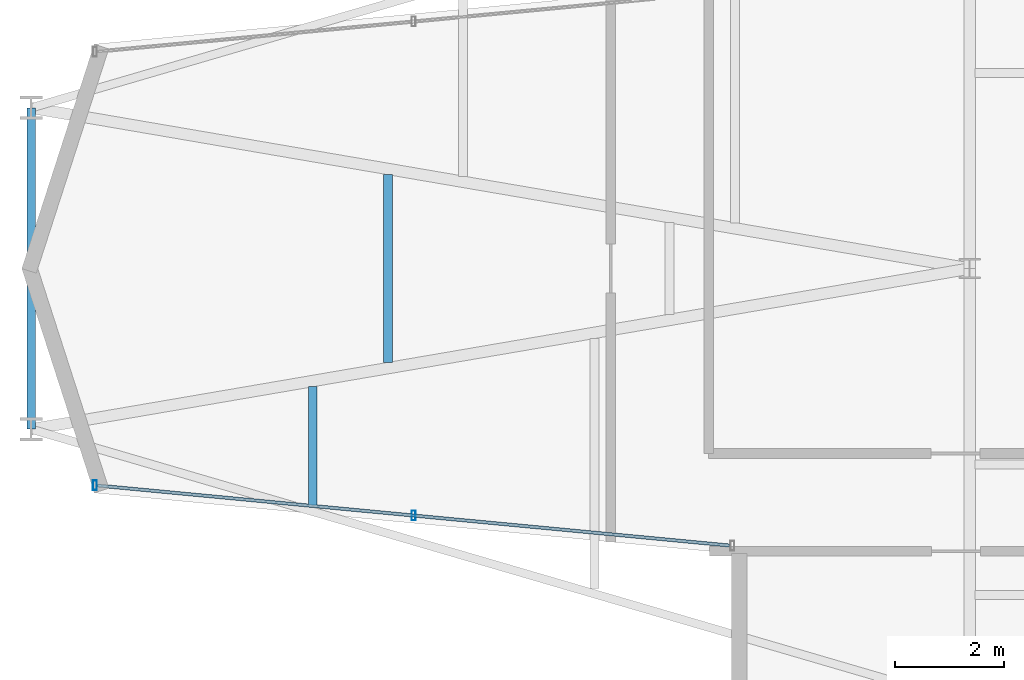
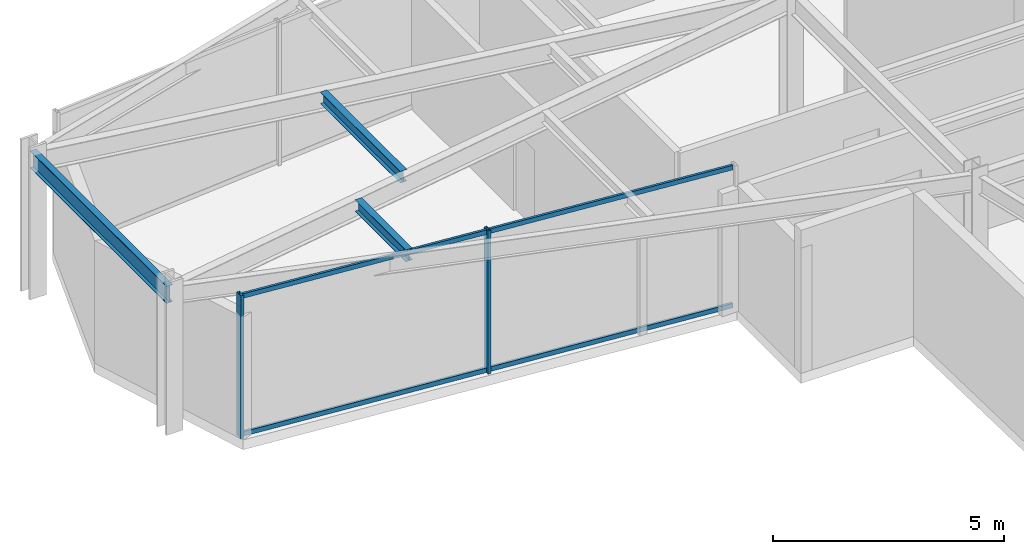
# One storey, part 2 of 21: 4 members, 3 beams, 1 element without a shape of its own.
"""IFC4 building model written with IfcOpenShell, lengths in metres."""

from ifc_helpers import new_model, si_unit, direction, frame, origin, origin_2d, place, context, subcontext, project, spatial, hollow_rectangle, i_section, extrude, material, layer, layer_set, material_profile, profile_set, type_object, element, aggregate, save


model = new_model("IFC4")

# Units and contexts
model_context = context("Model", 3, precision=1e-05, world=origin(), true_north=direction((0.0, 1.0)))
body_context = subcontext(model_context, "Body", "Model", "MODEL_VIEW")
ifc_project = project(units=[si_unit("LENGTHUNIT", "METRE"), si_unit("AREAUNIT", "SQUARE_METRE"), si_unit("VOLUMEUNIT", "CUBIC_METRE"), si_unit("PLANEANGLEUNIT", "RADIAN"), si_unit("MASSUNIT", "GRAM", prefix="KILO")], contexts=[model_context])

# Site, building, storey
site_placement = place(None, origin())
site = spatial("IfcSite", under=ifc_project, at=site_placement, CompositionType="ELEMENT")
building_placement = place(site_placement, origin())
building = spatial("IfcBuilding", under=site, at=building_placement, Name="Veymaron Broadcast Tower", CompositionType="ELEMENT")
storey_placement = place(building_placement, frame((0.0, 0.0, 228.300048828125)))
storey = spatial("IfcBuildingStorey", under=building, at=storey_placement, Name="L53", CompositionType="ELEMENT", Elevation=228.300048828125)

# Beams
ifc_material_1 = material(Name="Structural steel ASTM A992 Gr 50", Category="steel")
ifc_material_profile_1 = material_profile(ifc_material_1, i_section(OverallWidth=0.1650390625, OverallDepth=0.31005859375, WebThickness=0.005859375, FlangeThickness=0.009765625, at=origin_2d()), Name="W310X39")
ifc_profile_set_1 = profile_set([ifc_material_profile_1], Name="Structural steel ASTM A992 Gr 50")
beam_type_1 = type_object("IfcBeamType", Name="BM-JS3", PredefinedType="JOIST", material=ifc_profile_set_1)
beam_1_placement = place(storey_placement, frame((19.11865234375, 19.631591796875, 3.635009765625), z_axis=(0.0, 1.0, 0.0), x_axis=(-1.0, 0.0, 0.0)))
element("IfcBeam", 1, at=beam_1_placement, inside=storey, type_object=beam_type_1, Name="L53 Arm-A secondary joist 1S", PredefinedType="JOIST", context=body_context, shape_type="SweptSolid", body=[
    extrude(i_section(OverallWidth=0.1650390625, OverallDepth=0.31005859375, WebThickness=0.005859375, FlangeThickness=0.009765625, at=origin_2d()), origin(), (0.0, 0.0, 1.0), 2.199951171875),
])
beam_2_placement = place(storey_placement, frame((20.49951171875, 22.267822265625, 3.635009765625), z_axis=(0.0, 1.0, 0.0), x_axis=(-1.0, 0.0, 0.0)))
element("IfcBeam", 2, at=beam_2_placement, inside=storey, type_object=beam_type_1, Name="L53 Arm-A secondary joist 1M", PredefinedType="JOIST", context=body_context, shape_type="SweptSolid", body=[
    extrude(i_section(OverallWidth=0.1650390625, OverallDepth=0.31005859375, WebThickness=0.005859375, FlangeThickness=0.009765625, at=origin_2d()), origin(), (0.0, 0.0, 1.0), 3.46435546875),
])
ifc_material_profile_2 = material_profile(ifc_material_1, i_section(OverallWidth=0.154052734375, OverallDepth=0.458984375, WebThickness=0.009033203125, FlangeThickness=0.015380859375, at=origin_2d()), Name="W460X68")
ifc_profile_set_2 = profile_set([ifc_material_profile_2], Name="Structural steel ASTM A992 Gr 50")
beam_type_2 = type_object("IfcBeamType", Name="BM-SP2", PredefinedType="SPANDREL", material=ifc_profile_set_2)
beam_3_placement = place(storey_placement, frame((13.94091796875, 21.044921875, 3.560546875), z_axis=(0.0, 1.0, 0.0), x_axis=(-1.0, 0.0, 0.0)))
element("IfcBeam", 3, at=beam_3_placement, inside=storey, type_object=beam_type_2, Name="L53 primary structural floor girder", PredefinedType="SPANDREL", context=body_context, shape_type="SweptSolid", body=[
    extrude(i_section(OverallWidth=0.154052734375, OverallDepth=0.458984375, WebThickness=0.009033203125, FlangeThickness=0.015380859375, at=origin_2d()), origin(), (0.0, 0.0, 1.0), 5.91015625),
])

# Curtain wall, members
ifc_material_2 = material(Name="Anodised aluminium AA 6063-T6 and laminated low-E dark glass", Category="aluminium")
ifc_layer = layer(ifc_material_2, 0.179931640625)
ifc_layer_set = layer_set([ifc_layer], Name="Anodised aluminium AA 6063-T6 and laminated low-E dark glass")
curtain_wall_type = type_object("IfcCurtainWallType", Name="CW-SYS-05", PredefinedType="NOTDEFINED", material=ifc_layer_set)
curtain_wall_placement = place(storey_placement, origin())
curtain_wall = element("IfcCurtainWall", 4, at=curtain_wall_placement, inside=storey, type_object=curtain_wall_type, Name="L53 dark-glass curtain wall CW-L53-E14-1", PredefinedType="NOTDEFINED")
ifc_material_3 = material(Name="Anodised aluminium AA 6063-T6", Category="aluminium")
ifc_material_profile_3 = material_profile(ifc_material_3, hollow_rectangle(XDim=0.074951171875, YDim=0.179931640625, WallThickness=0.0048828125, at=origin_2d()), Name="AL180X75X5")
ifc_profile_set_3 = profile_set([ifc_material_profile_3], Name="Anodised aluminium AA 6063-T6")
member_type_1 = type_object("IfcMemberType", Name="CW-MUL-02", PredefinedType="MULLION", material=ifc_profile_set_3)
member_1_placement = place(storey_placement, frame((15.11328125, 20.013916015625, 0.0), z_axis=(0.0, 0.0, 1.0), x_axis=(1.0, 0.0, 0.0)))
member_1 = element("IfcMember", 5, at=member_1_placement, type_object=member_type_1, Name="CW-L53-E14-1 mullion 0", PredefinedType="MULLION", context=body_context, shape_type="SweptSolid", body=[
    extrude(hollow_rectangle(XDim=0.074951171875, YDim=0.179931640625, WallThickness=0.0048828125, at=origin_2d()), origin(), (0.0, 0.0, 1.0), 3.7900390625),
])
member_2_placement = place(storey_placement, frame((20.97509765625, 19.45751953125, 0.0), z_axis=(0.0, 0.0, 1.0), x_axis=(1.0, 0.0, 0.0)))
member_2 = element("IfcMember", 6, at=member_2_placement, type_object=member_type_1, Name="CW-L53-E14-1 mullion 1", PredefinedType="MULLION", context=body_context, shape_type="SweptSolid", body=[
    extrude(hollow_rectangle(XDim=0.074951171875, YDim=0.179931640625, WallThickness=0.0048828125, at=origin_2d()), origin(), (0.0, 0.0, 1.0), 3.7900390625),
])
ifc_material_profile_4 = material_profile(ifc_material_3, hollow_rectangle(XDim=0.06005859375, YDim=0.1201171875, WallThickness=0.00390625, at=origin_2d()), Name="AL120X60X4")
ifc_profile_set_4 = profile_set([ifc_material_profile_4], Name="Anodised aluminium AA 6063-T6")
member_type_2 = type_object("IfcMemberType", Name="CW-TRN-02", PredefinedType="USERDEFINED", material=ifc_profile_set_4)
member_3_placement = place(storey_placement, frame((15.1630859375, 20.00927734375, 0.070068359375), z_axis=(0.995522214706, -0.094527879627, 0.0), x_axis=(0.094527879627, 0.995522214706, 0.0)))
member_3 = element("IfcMember", 7, at=member_3_placement, type_object=member_type_2, Name="CW-L53-E14-1 transom B", ObjectType="TRANSOM", PredefinedType="USERDEFINED", context=body_context, shape_type="SweptSolid", body=[
    extrude(hollow_rectangle(XDim=0.06005859375, YDim=0.1201171875, WallThickness=0.00390625, at=origin_2d()), origin(), (0.0, 0.0, 1.0), 11.676513671875),
])
member_4_placement = place(storey_placement, frame((15.1630859375, 20.00927734375, 3.719970703125), z_axis=(0.995522214706, -0.094527879627, 0.0), x_axis=(0.094527879627, 0.995522214706, 0.0)))
member_4 = element("IfcMember", 8, at=member_4_placement, type_object=member_type_2, Name="CW-L53-E14-1 transom T", ObjectType="TRANSOM", PredefinedType="USERDEFINED", context=body_context, shape_type="SweptSolid", body=[
    extrude(hollow_rectangle(XDim=0.06005859375, YDim=0.1201171875, WallThickness=0.00390625, at=origin_2d()), origin(), (0.0, 0.0, 1.0), 11.676513671875),
])
aggregate(curtain_wall, [member_1, member_2, member_3, member_4])

save(model, "model.ifc")
